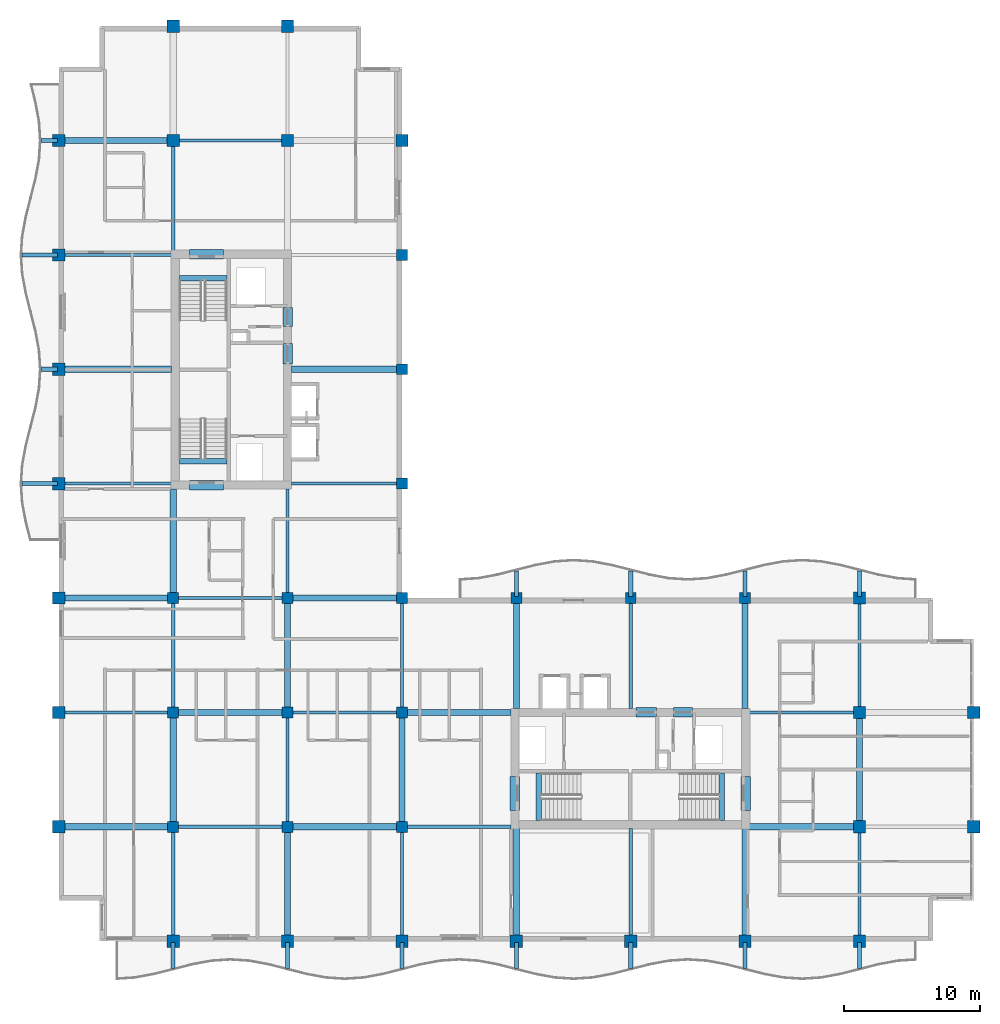
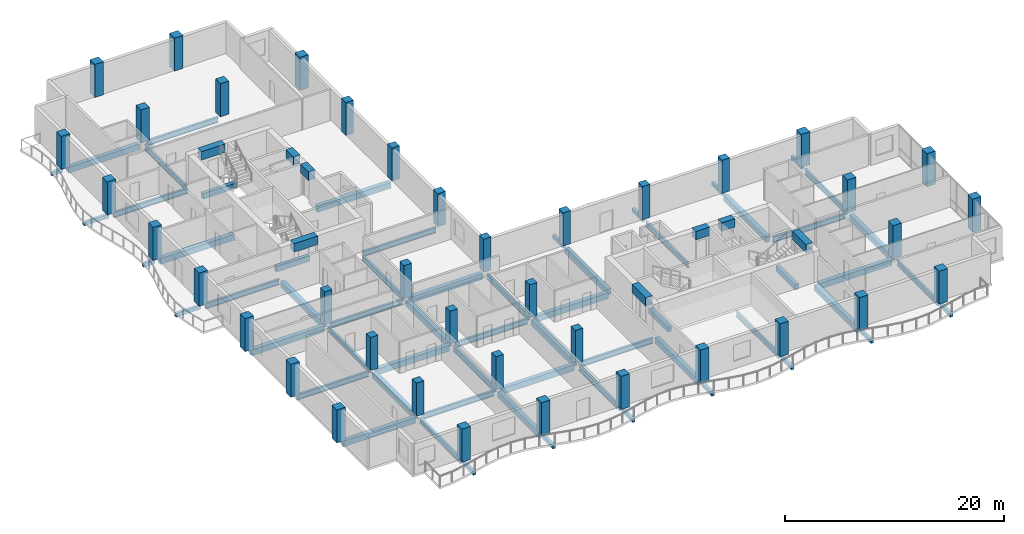
# One storey, part 1 of 16: 68 beams, 39 columns.
"""IFC4 building model written with IfcOpenShell, lengths in metres."""

from ifc_helpers import new_model, si_unit, direction, frame, origin, origin_2d, place, context, subcontext, project, spatial, rectangle, i_section, extrude, material, material_profile, profile_set, type_object, element, save


model = new_model("IFC4")

# Units and contexts
model_context = context("Model", 3, precision=1e-05, world=origin(), true_north=direction((0.0, 1.0)))
body_context = subcontext(model_context, "Body", "Model", "MODEL_VIEW")
ifc_project = project(units=[si_unit("LENGTHUNIT", "METRE"), si_unit("AREAUNIT", "SQUARE_METRE"), si_unit("VOLUMEUNIT", "CUBIC_METRE"), si_unit("PLANEANGLEUNIT", "RADIAN"), si_unit("MASSUNIT", "GRAM", prefix="KILO")], contexts=[model_context])

# Site, building, storey
site_placement = place(None, origin())
site = spatial("IfcSite", under=ifc_project, at=site_placement, CompositionType="ELEMENT")
building_placement = place(site_placement, origin())
building = spatial("IfcBuilding", under=site, at=building_placement, Name="Koriwani Terraces Tower", CompositionType="ELEMENT")
storey_placement = place(building_placement, frame((0.0, 0.0, 245.300048828125)))
storey = spatial("IfcBuildingStorey", under=building, at=storey_placement, Name="L60", CompositionType="ELEMENT", Elevation=245.300048828125)

# Columns
ifc_material_1 = material(Name="Concrete C50/60", Category="concrete")
ifc_material_profile_1 = material_profile(ifc_material_1, rectangle(XDim=0.800048828125, YDim=0.800048828125, at=origin_2d()), Name="Concrete C50/60", Category="LoadBearing")
ifc_profile_set_1 = profile_set([ifc_material_profile_1], Name="Concrete C50/60")
column_type_1 = type_object("IfcColumnType", Name="COL_RC_800X800", PredefinedType="COLUMN", material=ifc_profile_set_1)
for number, where, z_axis, x_axis, name in (
    (1, (16.800048828125, 16.800048828125, 0.0), (0.0, 0.0, 1.0), (1.0, 0.0, 0.0), "L60 Column 3/C"),
    (2, (16.800048828125, 25.199951171875, 0.0), (0.0, 0.0, 1.0), (1.0, 0.0, 0.0), "L60 Column 3/D"),
    (3, (16.800048828125, 33.60009765625, 0.0), (0.0, 0.0, 1.0), (1.0, 0.0, 0.0), "L60 Column 3/E"),
    (4, (25.199951171875, 16.800048828125, 0.0), (0.0, 0.0, 1.0), (1.0, 0.0, 0.0), "L60 Column 4/C"),
    (5, (25.199951171875, 25.199951171875, 0.0), (0.0, 0.0, 1.0), (1.0, 0.0, 0.0), "L60 Column 4/D"),
    (6, (25.199951171875, 33.60009765625, 0.0), (0.0, 0.0, 1.0), (1.0, 0.0, 0.0), "L60 Column 4/E"),
    (7, (33.60009765625, 16.800048828125, 0.0), (0.0, 0.0, 1.0), (1.0, 0.0, 0.0), "L60 Column 5/C"),
    (8, (33.60009765625, 25.199951171875, 0.0), (0.0, 0.0, 1.0), (1.0, 0.0, 0.0), "L60 Column 5/D"),
    (9, (33.60009765625, 33.60009765625, 0.0), (0.0, 0.0, 1.0), (1.0, 0.0, 0.0), "L60 Column 5/E"),
    (10, (33.60009765625, 42.0, 0.0), (0.0, 0.0, 1.0), (1.0, 0.0, 0.0), "L60 Column 5/F"),
    (11, (33.60009765625, 50.39990234375, 0.0), (0.0, 0.0, 1.0), (1.0, 0.0, 0.0), "L60 Column 5/G"),
    (12, (33.60009765625, 58.800048828125, 0.0), (0.0, 0.0, 1.0), (1.0, 0.0, 0.0), "L60 Column 5/H"),
    (13, (42.0, 33.60009765625, 0.0), (0.0, 0.0, 1.0), (1.0, 0.0, 0.0), "L60 Column 6/E"),
    (14, (50.39990234375, 33.60009765625, 0.0), (0.0, 0.0, 1.0), (1.0, 0.0, 0.0), "L60 Column 7/E"),
    (15, (58.800048828125, 33.60009765625, 0.0), (0.0, 0.0, 1.0), (1.0, 0.0, 0.0), "L60 Column 8/E"),
):
    element("IfcColumn", number, at=place(storey_placement, frame(where, z_axis=z_axis, x_axis=x_axis)), inside=storey, type_object=column_type_1, Name=name, PredefinedType="COLUMN", context=body_context, shape_type="SweptSolid", body=[
        extrude(rectangle(XDim=0.800048828125, YDim=0.800048828125, at=origin_2d()), origin(), (0.0, 0.0, 1.0), 3.699951171875),
    ])
ifc_material_profile_2 = material_profile(ifc_material_1, rectangle(XDim=0.89990234375, YDim=0.89990234375, at=origin_2d()), Name="Concrete C50/60", Category="LoadBearing")
ifc_profile_set_2 = profile_set([ifc_material_profile_2], Name="Concrete C50/60")
column_type_2 = type_object("IfcColumnType", Name="COL_RC_900X900", PredefinedType="COLUMN", material=ifc_profile_set_2)
for number, where, z_axis, x_axis, name in (
    (16, (8.39990234375, 16.800048828125, 0.0), (0.0, 0.0, 1.0), (1.0, 0.0, 0.0), "L60 Column 2/C"),
    (17, (8.39990234375, 25.199951171875, 0.0), (0.0, 0.0, 1.0), (1.0, 0.0, 0.0), "L60 Column 2/D"),
    (18, (8.39990234375, 33.60009765625, 0.0), (0.0, 0.0, 1.0), (1.0, 0.0, 0.0), "L60 Column 2/E"),
    (19, (8.39990234375, 42.0, 0.0), (0.0, 0.0, 1.0), (1.0, 0.0, 0.0), "L60 Column 2/F"),
    (20, (8.39990234375, 50.39990234375, 0.0), (0.0, 0.0, 1.0), (1.0, 0.0, 0.0), "L60 Column 2/G"),
    (21, (8.39990234375, 58.800048828125, 0.0), (0.0, 0.0, 1.0), (1.0, 0.0, 0.0), "L60 Column 2/H"),
    (22, (8.39990234375, 67.199951171875, 0.0), (0.0, 0.0, 1.0), (1.0, 0.0, 0.0), "L60 Column 2/I"),
    (23, (16.800048828125, 8.39990234375, 0.0), (0.0, 0.0, 1.0), (1.0, 0.0, 0.0), "L60 Column 3/B"),
    (24, (16.800048828125, 67.199951171875, 0.0), (0.0, 0.0, 1.0), (1.0, 0.0, 0.0), "L60 Column 3/I"),
    (25, (16.800048828125, 75.60009765625, 0.0), (0.0, 0.0, 1.0), (1.0, 0.0, 0.0), "L60 Column 3/J"),
    (26, (25.199951171875, 8.39990234375, 0.0), (0.0, 0.0, 1.0), (1.0, 0.0, 0.0), "L60 Column 4/B"),
    (27, (25.199951171875, 67.199951171875, 0.0), (0.0, 0.0, 1.0), (1.0, 0.0, 0.0), "L60 Column 4/I"),
    (28, (25.199951171875, 75.60009765625, 0.0), (0.0, 0.0, 1.0), (1.0, 0.0, 0.0), "L60 Column 4/J"),
    (29, (33.60009765625, 8.39990234375, 0.0), (0.0, 0.0, 1.0), (1.0, 0.0, 0.0), "L60 Column 5/B"),
    (30, (33.60009765625, 67.199951171875, 0.0), (0.0, 0.0, 1.0), (1.0, 0.0, 0.0), "L60 Column 5/I"),
    (31, (42.0, 8.39990234375, 0.0), (0.0, 0.0, 1.0), (1.0, 0.0, 0.0), "L60 Column 6/B"),
    (32, (50.39990234375, 8.39990234375, 0.0), (0.0, 0.0, 1.0), (1.0, 0.0, 0.0), "L60 Column 7/B"),
    (33, (58.800048828125, 8.39990234375, 0.0), (0.0, 0.0, 1.0), (1.0, 0.0, 0.0), "L60 Column 8/B"),
    (34, (67.199951171875, 8.39990234375, 0.0), (0.0, 0.0, 1.0), (1.0, 0.0, 0.0), "L60 Column 9/B"),
    (35, (67.199951171875, 16.800048828125, 0.0), (0.0, 0.0, 1.0), (1.0, 0.0, 0.0), "L60 Column 9/C"),
    (36, (67.199951171875, 25.199951171875, 0.0), (0.0, 0.0, 1.0), (1.0, 0.0, 0.0), "L60 Column 9/D"),
    (37, (67.199951171875, 33.60009765625, 0.0), (0.0, 0.0, 1.0), (1.0, 0.0, 0.0), "L60 Column 9/E"),
    (38, (75.60009765625, 16.800048828125, 0.0), (0.0, 0.0, 1.0), (1.0, 0.0, 0.0), "L60 Column 10/C"),
    (39, (75.60009765625, 25.199951171875, 0.0), (0.0, 0.0, 1.0), (1.0, 0.0, 0.0), "L60 Column 10/D"),
):
    element("IfcColumn", number, at=place(storey_placement, frame(where, z_axis=z_axis, x_axis=x_axis)), inside=storey, type_object=column_type_2, Name=name, PredefinedType="COLUMN", context=body_context, shape_type="SweptSolid", body=[
        extrude(rectangle(XDim=0.89990234375, YDim=0.89990234375, at=origin_2d()), origin(), (0.0, 0.0, 1.0), 3.699951171875),
    ])

# Beams
ifc_material_2 = material(Name="Concrete C40/50", Category="concrete")
ifc_material_profile_3 = material_profile(ifc_material_2, rectangle(XDim=0.300048828125, YDim=0.39990234375, at=origin_2d()), Name="Concrete C40/50", Category="LoadBearing")
ifc_profile_set_3 = profile_set([ifc_material_profile_3], Name="Concrete C40/50")
beam_type_1 = type_object("IfcBeamType", Name="BEAM_RC_BALCONY_RIB_300X400", PredefinedType="JOIST", material=ifc_profile_set_3)
for number, where, z_axis, x_axis, name in (
    (40, (16.800048828125, 6.409912109375, -0.429931640625), (0.0, 1.0, 0.0), (-1.0, 0.0, 0.0), "L60 Balcony Bracket Rib S-1"),
    (41, (25.199951171875, 6.409912109375, -0.429931640625), (0.0, 1.0, 0.0), (-1.0, 0.0, 0.0), "L60 Balcony Bracket Rib S-2"),
    (42, (33.60009765625, 6.409912109375, -0.429931640625), (0.0, 1.0, 0.0), (-1.0, 0.0, 0.0), "L60 Balcony Bracket Rib S-3"),
    (43, (42.0, 6.409912109375, -0.429931640625), (0.0, 1.0, 0.0), (-1.0, 0.0, 0.0), "L60 Balcony Bracket Rib S-4"),
    (44, (50.39990234375, 6.409912109375, -0.429931640625), (0.0, 1.0, 0.0), (-1.0, 0.0, 0.0), "L60 Balcony Bracket Rib S-5"),
    (45, (58.800048828125, 6.409912109375, -0.429931640625), (0.0, 1.0, 0.0), (-1.0, 0.0, 0.0), "L60 Balcony Bracket Rib S-6"),
    (46, (67.199951171875, 6.409912109375, -0.429931640625), (0.0, 1.0, 0.0), (-1.0, 0.0, 0.0), "L60 Balcony Bracket Rib S-7"),
):
    element("IfcBeam", number, at=place(storey_placement, frame(where, z_axis=z_axis, x_axis=x_axis)), inside=storey, type_object=beam_type_1, Name=name, PredefinedType="JOIST", context=body_context, shape_type="SweptSolid", body=[
        extrude(rectangle(XDim=0.300048828125, YDim=0.39990234375, at=origin_2d()), origin(), (0.0, 0.0, 1.0), 1.89013671875),
    ])
beam_1_placement = place(storey_placement, frame((5.699951171875, 42.0, -0.429931640625), z_axis=(1.0, 0.0, 0.0), x_axis=(0.0, 1.0, 0.0)))
element("IfcBeam", 47, at=beam_1_placement, inside=storey, type_object=beam_type_1, Name="L60 Balcony Bracket Rib W-1", PredefinedType="JOIST", context=body_context, shape_type="SweptSolid", body=[
    extrude(rectangle(XDim=0.300048828125, YDim=0.39990234375, at=origin_2d()), origin(), (0.0, 0.0, 1.0), 2.60009765625),
])
beam_2_placement = place(storey_placement, frame((7.1201171875, 50.39990234375, -0.429931640625), z_axis=(1.0, 0.0, 0.0), x_axis=(0.0, 1.0, 0.0)))
element("IfcBeam", 48, at=beam_2_placement, inside=storey, type_object=beam_type_1, Name="L60 Balcony Bracket Rib W-2", PredefinedType="JOIST", context=body_context, shape_type="SweptSolid", body=[
    extrude(rectangle(XDim=0.300048828125, YDim=0.39990234375, at=origin_2d()), origin(), (0.0, 0.0, 1.0), 1.179931640625),
])
beam_3_placement = place(storey_placement, frame((5.699951171875, 58.800048828125, -0.429931640625), z_axis=(1.0, 0.0, 0.0), x_axis=(0.0, 1.0, 0.0)))
element("IfcBeam", 49, at=beam_3_placement, inside=storey, type_object=beam_type_1, Name="L60 Balcony Bracket Rib W-3", PredefinedType="JOIST", context=body_context, shape_type="SweptSolid", body=[
    extrude(rectangle(XDim=0.300048828125, YDim=0.39990234375, at=origin_2d()), origin(), (0.0, 0.0, 1.0), 2.60009765625),
])
beam_4_placement = place(storey_placement, frame((7.1201171875, 67.199951171875, -0.429931640625), z_axis=(1.0, 0.0, 0.0), x_axis=(0.0, 1.0, 0.0)))
element("IfcBeam", 50, at=beam_4_placement, inside=storey, type_object=beam_type_1, Name="L60 Balcony Bracket Rib W-4", PredefinedType="JOIST", context=body_context, shape_type="SweptSolid", body=[
    extrude(rectangle(XDim=0.300048828125, YDim=0.39990234375, at=origin_2d()), origin(), (0.0, 0.0, 1.0), 1.179931640625),
])
for number, where, z_axis, x_axis, name in (
    (51, (42.0, 33.699951171875, -0.429931640625), (0.0, 1.0, 0.0), (-1.0, 0.0, 0.0), "L60 Balcony Bracket Rib NE-1"),
    (52, (50.39990234375, 33.699951171875, -0.429931640625), (0.0, 1.0, 0.0), (-1.0, 0.0, 0.0), "L60 Balcony Bracket Rib NE-2"),
    (53, (58.800048828125, 33.699951171875, -0.429931640625), (0.0, 1.0, 0.0), (-1.0, 0.0, 0.0), "L60 Balcony Bracket Rib NE-3"),
    (54, (67.199951171875, 33.699951171875, -0.429931640625), (0.0, 1.0, 0.0), (-1.0, 0.0, 0.0), "L60 Balcony Bracket Rib NE-4"),
):
    element("IfcBeam", number, at=place(storey_placement, frame(where, z_axis=z_axis, x_axis=x_axis)), inside=storey, type_object=beam_type_1, Name=name, PredefinedType="JOIST", context=body_context, shape_type="SweptSolid", body=[
        extrude(rectangle(XDim=0.300048828125, YDim=0.39990234375, at=origin_2d()), origin(), (0.0, 0.0, 1.0), 1.89013671875),
    ])
ifc_material_3 = material(Name="Concrete C60/75", Category="concrete")
ifc_material_profile_4 = material_profile(ifc_material_3, rectangle(XDim=0.699951171875, YDim=0.949951171875, at=origin_2d()), Name="Concrete C60/75", Category="LoadBearing")
ifc_profile_set_4 = profile_set([ifc_material_profile_4], Name="Concrete C60/75")
beam_type_2 = type_object("IfcBeamType", Name="BEAM_RC_COUPLING_700X950", PredefinedType="LINTEL", material=ifc_profile_set_4)
beam_5_placement = place(storey_placement, frame((25.199951171875, 50.800048828125, 2.994873046875), z_axis=(0.0, 1.0, 0.0), x_axis=(-1.0, 0.0, 0.0)))
element("IfcBeam", 55, at=beam_5_placement, inside=storey, type_object=beam_type_2, Name="L60 Core Coupling Lintel Beam WE1", PredefinedType="LINTEL", context=body_context, shape_type="SweptSolid", body=[
    extrude(rectangle(XDim=0.699951171875, YDim=0.949951171875, at=origin_2d()), origin(), (0.0, 0.0, 1.0), 1.47998046875),
])
beam_6_placement = place(storey_placement, frame((25.199951171875, 53.550048828125, 2.994873046875), z_axis=(0.0, 1.0, 0.0), x_axis=(-1.0, 0.0, 0.0)))
element("IfcBeam", 56, at=beam_6_placement, inside=storey, type_object=beam_type_2, Name="L60 Core Coupling Lintel Beam WE2", PredefinedType="LINTEL", context=body_context, shape_type="SweptSolid", body=[
    extrude(rectangle(XDim=0.699951171875, YDim=0.949951171875, at=origin_2d()), origin(), (0.0, 0.0, 1.0), 1.39990234375),
])
for number, where, z_axis, x_axis, name in (
    (57, (18.0, 41.89990234375, 2.994873046875), (1.0, 0.0, 0.0), (0.0, 1.0, 0.0), "L60 Core Coupling Lintel Beam WS"),
    (58, (18.0, 58.85009765625, 2.994873046875), (1.0, 0.0, 0.0), (0.0, 1.0, 0.0), "L60 Core Coupling Lintel Beam WN"),
):
    element("IfcBeam", number, at=place(storey_placement, frame(where, z_axis=z_axis, x_axis=x_axis)), inside=storey, type_object=beam_type_2, Name=name, PredefinedType="LINTEL", context=body_context, shape_type="SweptSolid", body=[
        extrude(rectangle(XDim=0.699951171875, YDim=0.949951171875, at=origin_2d()), origin(), (0.0, 0.0, 1.0), 2.5),
    ])
beam_7_placement = place(storey_placement, frame((50.800048828125, 25.199951171875, 2.994873046875), z_axis=(1.0, 0.0, 0.0), x_axis=(0.0, 1.0, 0.0)))
element("IfcBeam", 59, at=beam_7_placement, inside=storey, type_object=beam_type_2, Name="L60 Core Coupling Lintel Beam EN1", PredefinedType="LINTEL", context=body_context, shape_type="SweptSolid", body=[
    extrude(rectangle(XDim=0.699951171875, YDim=0.949951171875, at=origin_2d()), origin(), (0.0, 0.0, 1.0), 1.47998046875),
])
beam_8_placement = place(storey_placement, frame((53.550048828125, 25.199951171875, 2.994873046875), z_axis=(1.0, 0.0, 0.0), x_axis=(0.0, 1.0, 0.0)))
element("IfcBeam", 60, at=beam_8_placement, inside=storey, type_object=beam_type_2, Name="L60 Core Coupling Lintel Beam EN2", PredefinedType="LINTEL", context=body_context, shape_type="SweptSolid", body=[
    extrude(rectangle(XDim=0.699951171875, YDim=0.949951171875, at=origin_2d()), origin(), (0.0, 0.0, 1.0), 1.39990234375),
])
for number, where, z_axis, x_axis, name in (
    (61, (41.89990234375, 18.0, 2.994873046875), (0.0, 1.0, 0.0), (-1.0, 0.0, 0.0), "L60 Core Coupling Lintel Beam EW"),
    (62, (58.85009765625, 18.0, 2.994873046875), (0.0, 1.0, 0.0), (-1.0, 0.0, 0.0), "L60 Core Coupling Lintel Beam EE"),
):
    element("IfcBeam", number, at=place(storey_placement, frame(where, z_axis=z_axis, x_axis=x_axis)), inside=storey, type_object=beam_type_2, Name=name, PredefinedType="LINTEL", context=body_context, shape_type="SweptSolid", body=[
        extrude(rectangle(XDim=0.699951171875, YDim=0.949951171875, at=origin_2d()), origin(), (0.0, 0.0, 1.0), 2.5),
    ])
ifc_material_profile_5 = material_profile(ifc_material_2, rectangle(XDim=0.39990234375, YDim=0.60009765625, at=origin_2d()), Name="Concrete C40/50", Category="LoadBearing")
ifc_profile_set_5 = profile_set([ifc_material_profile_5], Name="Concrete C40/50")
beam_type_3 = type_object("IfcBeamType", Name="BEAM_RC_GRID_400X600", PredefinedType="BEAM", material=ifc_profile_set_5)
for number, where, z_axis, x_axis, name in (
    (63, (17.25, 43.655029296875, -0.300048828125), (1.0, 0.0, 0.0), (0.0, 1.0, 0.0), "L60 Stairwell Header Trimmer Beam ST-W1"),
    (64, (17.25, 57.094970703125, -0.300048828125), (1.0, 0.0, 0.0), (0.0, 1.0, 0.0), "L60 Stairwell Header Trimmer Beam ST-W2"),
    (65, (43.655029296875, 17.25, -0.300048828125), (0.0, 1.0, 0.0), (-1.0, 0.0, 0.0), "L60 Stairwell Header Trimmer Beam ST-E1"),
    (66, (57.094970703125, 17.25, -0.300048828125), (0.0, 1.0, 0.0), (-1.0, 0.0, 0.0), "L60 Stairwell Header Trimmer Beam ST-E2"),
):
    element("IfcBeam", number, at=place(storey_placement, frame(where, z_axis=z_axis, x_axis=x_axis)), inside=storey, type_object=beam_type_3, Name=name, PredefinedType="BEAM", context=body_context, shape_type="SweptSolid", body=[
        extrude(rectangle(XDim=0.39990234375, YDim=0.60009765625, at=origin_2d()), origin(), (0.0, 0.0, 1.0), 3.5),
    ])
ifc_material_profile_6 = material_profile(ifc_material_1, rectangle(XDim=0.449951171875, YDim=0.64990234375, at=origin_2d()), Name="Concrete C50/60", Category="LoadBearing")
ifc_profile_set_6 = profile_set([ifc_material_profile_6], Name="Concrete C50/60")
beam_type_4 = type_object("IfcBeamType", Name="BEAM_RC_GRID_450X650", PredefinedType="BEAM", material=ifc_profile_set_6)
beam_9_placement = place(storey_placement, frame((8.830078125, 16.800048828125, -0.554931640625), z_axis=(1.0, 0.0, 0.0), x_axis=(0.0, 1.0, 0.0)))
element("IfcBeam", 67, at=beam_9_placement, inside=storey, type_object=beam_type_4, Name="L60 Grid Beam C (8.4-16.8m)", PredefinedType="BEAM", context=body_context, shape_type="SweptSolid", body=[
    extrude(rectangle(XDim=0.449951171875, YDim=0.64990234375, at=origin_2d()), origin(), (0.0, 0.0, 1.0), 7.58984375),
])
beam_10_placement = place(storey_placement, frame((25.580078125, 16.800048828125, -0.554931640625), z_axis=(1.0, 0.0, 0.0), x_axis=(0.0, 1.0, 0.0)))
element("IfcBeam", 68, at=beam_10_placement, inside=storey, type_object=beam_type_4, Name="L60 Grid Beam C (25.2-33.6m)", PredefinedType="BEAM", context=body_context, shape_type="SweptSolid", body=[
    extrude(rectangle(XDim=0.449951171875, YDim=0.64990234375, at=origin_2d()), origin(), (0.0, 0.0, 1.0), 7.639892578125),
])
for number, where, z_axis, x_axis, name in (
    (69, (59.1298828125, 16.800048828125, -0.554931640625), (1.0, 0.0, 0.0), (0.0, 1.0, 0.0), "L60 Grid Beam C (58.8-67.2m)"),
    (70, (17.179931640625, 25.199951171875, -0.554931640625), (1.0, 0.0, 0.0), (0.0, 1.0, 0.0), "L60 Grid Beam D (16.8-25.2m)"),
    (71, (33.97998046875, 25.199951171875, -0.554931640625), (1.0, 0.0, 0.0), (0.0, 1.0, 0.0), "L60 Grid Beam D (33.6-42.0m)"),
):
    element("IfcBeam", number, at=place(storey_placement, frame(where, z_axis=z_axis, x_axis=x_axis)), inside=storey, type_object=beam_type_4, Name=name, PredefinedType="BEAM", context=body_context, shape_type="SweptSolid", body=[
        extrude(rectangle(XDim=0.449951171875, YDim=0.64990234375, at=origin_2d()), origin(), (0.0, 0.0, 1.0), 7.64013671875),
    ])
beam_11_placement = place(storey_placement, frame((8.830078125, 33.60009765625, -0.554931640625), z_axis=(1.0, 0.0, 0.0), x_axis=(0.0, 1.0, 0.0)))
element("IfcBeam", 72, at=beam_11_placement, inside=storey, type_object=beam_type_4, Name="L60 Grid Beam E (8.4-16.8m)", PredefinedType="BEAM", context=body_context, shape_type="SweptSolid", body=[
    extrude(rectangle(XDim=0.449951171875, YDim=0.64990234375, at=origin_2d()), origin(), (0.0, 0.0, 1.0), 7.58984375),
])
beam_12_placement = place(storey_placement, frame((25.580078125, 33.60009765625, -0.554931640625), z_axis=(1.0, 0.0, 0.0), x_axis=(0.0, 1.0, 0.0)))
element("IfcBeam", 73, at=beam_12_placement, inside=storey, type_object=beam_type_4, Name="L60 Grid Beam E (25.2-33.6m)", PredefinedType="BEAM", context=body_context, shape_type="SweptSolid", body=[
    extrude(rectangle(XDim=0.449951171875, YDim=0.64990234375, at=origin_2d()), origin(), (0.0, 0.0, 1.0), 7.639892578125),
])
beam_13_placement = place(storey_placement, frame((8.830078125, 50.39990234375, -0.554931640625), z_axis=(1.0, 0.0, 0.0), x_axis=(0.0, 1.0, 0.0)))
element("IfcBeam", 74, at=beam_13_placement, inside=storey, type_object=beam_type_4, Name="L60 Grid Beam G (8.4-16.8m)", PredefinedType="BEAM", context=body_context, shape_type="SweptSolid", body=[
    extrude(rectangle(XDim=0.449951171875, YDim=0.64990234375, at=origin_2d()), origin(), (0.0, 0.0, 1.0), 7.83984375),
])
beam_14_placement = place(storey_placement, frame((25.47998046875, 50.39990234375, -0.554931640625), z_axis=(1.0, 0.0, 0.0), x_axis=(0.0, 1.0, 0.0)))
element("IfcBeam", 75, at=beam_14_placement, inside=storey, type_object=beam_type_4, Name="L60 Grid Beam G (25.2-33.6m)", PredefinedType="BEAM", context=body_context, shape_type="SweptSolid", body=[
    extrude(rectangle(XDim=0.449951171875, YDim=0.64990234375, at=origin_2d()), origin(), (0.0, 0.0, 1.0), 7.739990234375),
])
beam_15_placement = place(storey_placement, frame((8.830078125, 67.199951171875, -0.554931640625), z_axis=(1.0, 0.0, 0.0), x_axis=(0.0, 1.0, 0.0)))
element("IfcBeam", 76, at=beam_15_placement, inside=storey, type_object=beam_type_4, Name="L60 Grid Beam I (8.4-16.8m)", PredefinedType="BEAM", context=body_context, shape_type="SweptSolid", body=[
    extrude(rectangle(XDim=0.449951171875, YDim=0.64990234375, at=origin_2d()), origin(), (0.0, 0.0, 1.0), 7.5400390625),
])
for number, where, z_axis, x_axis, name in (
    (77, (16.800048828125, 17.179931640625, -0.554931640625), (0.0, 1.0, 0.0), (-1.0, 0.0, 0.0), "L60 Grid Beam 3 (16.8-25.2m)"),
    (78, (16.800048828125, 33.97998046875, -0.554931640625), (0.0, 1.0, 0.0), (-1.0, 0.0, 0.0), "L60 Grid Beam 3 (33.6-42.0m)"),
):
    element("IfcBeam", number, at=place(storey_placement, frame(where, z_axis=z_axis, x_axis=x_axis)), inside=storey, type_object=beam_type_4, Name=name, PredefinedType="BEAM", context=body_context, shape_type="SweptSolid", body=[
        extrude(rectangle(XDim=0.449951171875, YDim=0.64990234375, at=origin_2d()), origin(), (0.0, 0.0, 1.0), 7.64013671875),
    ])
beam_16_placement = place(storey_placement, frame((25.199951171875, 8.830078125, -0.554931640625), z_axis=(0.0, 1.0, 0.0), x_axis=(-1.0, 0.0, 0.0)))
element("IfcBeam", 79, at=beam_16_placement, inside=storey, type_object=beam_type_4, Name="L60 Grid Beam 4 (8.4-16.8m)", PredefinedType="BEAM", context=body_context, shape_type="SweptSolid", body=[
    extrude(rectangle(XDim=0.449951171875, YDim=0.64990234375, at=origin_2d()), origin(), (0.0, 0.0, 1.0), 7.58984375),
])
beam_17_placement = place(storey_placement, frame((25.199951171875, 25.580078125, -0.554931640625), z_axis=(0.0, 1.0, 0.0), x_axis=(-1.0, 0.0, 0.0)))
element("IfcBeam", 80, at=beam_17_placement, inside=storey, type_object=beam_type_4, Name="L60 Grid Beam 4 (25.2-33.6m)", PredefinedType="BEAM", context=body_context, shape_type="SweptSolid", body=[
    extrude(rectangle(XDim=0.449951171875, YDim=0.64990234375, at=origin_2d()), origin(), (0.0, 0.0, 1.0), 7.639892578125),
])
beam_18_placement = place(storey_placement, frame((33.60009765625, 17.179931640625, -0.554931640625), z_axis=(0.0, 1.0, 0.0), x_axis=(-1.0, 0.0, 0.0)))
element("IfcBeam", 81, at=beam_18_placement, inside=storey, type_object=beam_type_4, Name="L60 Grid Beam 5 (16.8-25.2m)", PredefinedType="BEAM", context=body_context, shape_type="SweptSolid", body=[
    extrude(rectangle(XDim=0.449951171875, YDim=0.64990234375, at=origin_2d()), origin(), (0.0, 0.0, 1.0), 7.64013671875),
])
beam_19_placement = place(storey_placement, frame((42.0, 8.830078125, -0.554931640625), z_axis=(0.0, 1.0, 0.0), x_axis=(-1.0, 0.0, 0.0)))
element("IfcBeam", 82, at=beam_19_placement, inside=storey, type_object=beam_type_4, Name="L60 Grid Beam 6 (8.4-16.8m)", PredefinedType="BEAM", context=body_context, shape_type="SweptSolid", body=[
    extrude(rectangle(XDim=0.449951171875, YDim=0.64990234375, at=origin_2d()), origin(), (0.0, 0.0, 1.0), 7.83984375),
])
beam_20_placement = place(storey_placement, frame((42.0, 25.47998046875, -0.554931640625), z_axis=(0.0, 1.0, 0.0), x_axis=(-1.0, 0.0, 0.0)))
element("IfcBeam", 83, at=beam_20_placement, inside=storey, type_object=beam_type_4, Name="L60 Grid Beam 6 (25.2-33.6m)", PredefinedType="BEAM", context=body_context, shape_type="SweptSolid", body=[
    extrude(rectangle(XDim=0.449951171875, YDim=0.64990234375, at=origin_2d()), origin(), (0.0, 0.0, 1.0), 7.739990234375),
])
beam_21_placement = place(storey_placement, frame((58.800048828125, 8.830078125, -0.554931640625), z_axis=(0.0, 1.0, 0.0), x_axis=(-1.0, 0.0, 0.0)))
element("IfcBeam", 84, at=beam_21_placement, inside=storey, type_object=beam_type_4, Name="L60 Grid Beam 8 (8.4-16.8m)", PredefinedType="BEAM", context=body_context, shape_type="SweptSolid", body=[
    extrude(rectangle(XDim=0.449951171875, YDim=0.64990234375, at=origin_2d()), origin(), (0.0, 0.0, 1.0), 7.83984375),
])
beam_22_placement = place(storey_placement, frame((58.800048828125, 25.47998046875, -0.554931640625), z_axis=(0.0, 1.0, 0.0), x_axis=(-1.0, 0.0, 0.0)))
element("IfcBeam", 85, at=beam_22_placement, inside=storey, type_object=beam_type_4, Name="L60 Grid Beam 8 (25.2-33.6m)", PredefinedType="BEAM", context=body_context, shape_type="SweptSolid", body=[
    extrude(rectangle(XDim=0.449951171875, YDim=0.64990234375, at=origin_2d()), origin(), (0.0, 0.0, 1.0), 7.739990234375),
])
beam_23_placement = place(storey_placement, frame((67.199951171875, 17.22998046875, -0.554931640625), z_axis=(0.0, 1.0, 0.0), x_axis=(-1.0, 0.0, 0.0)))
element("IfcBeam", 86, at=beam_23_placement, inside=storey, type_object=beam_type_4, Name="L60 Grid Beam 9 (16.8-25.2m)", PredefinedType="BEAM", context=body_context, shape_type="SweptSolid", body=[
    extrude(rectangle(XDim=0.449951171875, YDim=0.64990234375, at=origin_2d()), origin(), (0.0, 0.0, 1.0), 7.5400390625),
])
ifc_material_4 = material(Name="Steel ASTM A572 Grade 50", Category="steel")
ifc_material_profile_7 = material_profile(ifc_material_4, i_section(OverallWidth=0.23095703125, OverallDepth=0.616943359375, WebThickness=0.015380859375, FlangeThickness=0.0244140625, at=origin_2d()), Name="Steel ASTM A572 Grade 50", Category="LoadBearing")
ifc_profile_set_7 = profile_set([ifc_material_profile_7], Name="Steel ASTM A572 Grade 50")
beam_type_5 = type_object("IfcBeamType", Name="STEEL_BEAM_W610X195", PredefinedType="BEAM", material=ifc_profile_set_7)
for number, where, z_axis, x_axis, name in (
    (87, (17.179931640625, 16.800048828125, -0.53857421875), (1.0, 0.0, 0.0), (0.0, 1.0, 0.0), "L60 Grid Beam C (16.8-25.2m)"),
    (88, (33.97998046875, 16.800048828125, -0.53857421875), (1.0, 0.0, 0.0), (0.0, 1.0, 0.0), "L60 Grid Beam C (33.6-42.0m)"),
):
    element("IfcBeam", number, at=place(storey_placement, frame(where, z_axis=z_axis, x_axis=x_axis)), inside=storey, type_object=beam_type_5, Name=name, PredefinedType="BEAM", context=body_context, shape_type="SweptSolid", body=[
        extrude(i_section(OverallWidth=0.23095703125, OverallDepth=0.616943359375, WebThickness=0.015380859375, FlangeThickness=0.0244140625, at=origin_2d()), origin(), (0.0, 0.0, 1.0), 7.64013671875),
    ])
beam_24_placement = place(storey_placement, frame((8.830078125, 25.199951171875, -0.53857421875), z_axis=(1.0, 0.0, 0.0), x_axis=(0.0, 1.0, 0.0)))
element("IfcBeam", 89, at=beam_24_placement, inside=storey, type_object=beam_type_5, Name="L60 Grid Beam D (8.4-16.8m)", PredefinedType="BEAM", context=body_context, shape_type="SweptSolid", body=[
    extrude(i_section(OverallWidth=0.23095703125, OverallDepth=0.616943359375, WebThickness=0.015380859375, FlangeThickness=0.0244140625, at=origin_2d()), origin(), (0.0, 0.0, 1.0), 7.58984375),
])
beam_25_placement = place(storey_placement, frame((25.580078125, 25.199951171875, -0.53857421875), z_axis=(1.0, 0.0, 0.0), x_axis=(0.0, 1.0, 0.0)))
element("IfcBeam", 90, at=beam_25_placement, inside=storey, type_object=beam_type_5, Name="L60 Grid Beam D (25.2-33.6m)", PredefinedType="BEAM", context=body_context, shape_type="SweptSolid", body=[
    extrude(i_section(OverallWidth=0.23095703125, OverallDepth=0.616943359375, WebThickness=0.015380859375, FlangeThickness=0.0244140625, at=origin_2d()), origin(), (0.0, 0.0, 1.0), 7.639892578125),
])
for number, where, z_axis, x_axis, name in (
    (91, (59.1298828125, 25.199951171875, -0.53857421875), (1.0, 0.0, 0.0), (0.0, 1.0, 0.0), "L60 Grid Beam D (58.8-67.2m)"),
    (92, (17.179931640625, 33.60009765625, -0.53857421875), (1.0, 0.0, 0.0), (0.0, 1.0, 0.0), "L60 Grid Beam E (16.8-25.2m)"),
):
    element("IfcBeam", number, at=place(storey_placement, frame(where, z_axis=z_axis, x_axis=x_axis)), inside=storey, type_object=beam_type_5, Name=name, PredefinedType="BEAM", context=body_context, shape_type="SweptSolid", body=[
        extrude(i_section(OverallWidth=0.23095703125, OverallDepth=0.616943359375, WebThickness=0.015380859375, FlangeThickness=0.0244140625, at=origin_2d()), origin(), (0.0, 0.0, 1.0), 7.64013671875),
    ])
beam_26_placement = place(storey_placement, frame((8.830078125, 42.0, -0.53857421875), z_axis=(1.0, 0.0, 0.0), x_axis=(0.0, 1.0, 0.0)))
element("IfcBeam", 93, at=beam_26_placement, inside=storey, type_object=beam_type_5, Name="L60 Grid Beam F (8.4-16.8m)", PredefinedType="BEAM", context=body_context, shape_type="SweptSolid", body=[
    extrude(i_section(OverallWidth=0.23095703125, OverallDepth=0.616943359375, WebThickness=0.015380859375, FlangeThickness=0.0244140625, at=origin_2d()), origin(), (0.0, 0.0, 1.0), 7.83984375),
])
beam_27_placement = place(storey_placement, frame((25.47998046875, 42.0, -0.53857421875), z_axis=(1.0, 0.0, 0.0), x_axis=(0.0, 1.0, 0.0)))
element("IfcBeam", 94, at=beam_27_placement, inside=storey, type_object=beam_type_5, Name="L60 Grid Beam F (25.2-33.6m)", PredefinedType="BEAM", context=body_context, shape_type="SweptSolid", body=[
    extrude(i_section(OverallWidth=0.23095703125, OverallDepth=0.616943359375, WebThickness=0.015380859375, FlangeThickness=0.0244140625, at=origin_2d()), origin(), (0.0, 0.0, 1.0), 7.739990234375),
])
beam_28_placement = place(storey_placement, frame((8.830078125, 58.800048828125, -0.53857421875), z_axis=(1.0, 0.0, 0.0), x_axis=(0.0, 1.0, 0.0)))
element("IfcBeam", 95, at=beam_28_placement, inside=storey, type_object=beam_type_5, Name="L60 Grid Beam H (8.4-16.8m)", PredefinedType="BEAM", context=body_context, shape_type="SweptSolid", body=[
    extrude(i_section(OverallWidth=0.23095703125, OverallDepth=0.616943359375, WebThickness=0.015380859375, FlangeThickness=0.0244140625, at=origin_2d()), origin(), (0.0, 0.0, 1.0), 7.83984375),
])
beam_29_placement = place(storey_placement, frame((17.22998046875, 67.199951171875, -0.53857421875), z_axis=(1.0, 0.0, 0.0), x_axis=(0.0, 1.0, 0.0)))
element("IfcBeam", 96, at=beam_29_placement, inside=storey, type_object=beam_type_5, Name="L60 Grid Beam I (16.8-25.2m)", PredefinedType="BEAM", context=body_context, shape_type="SweptSolid", body=[
    extrude(i_section(OverallWidth=0.23095703125, OverallDepth=0.616943359375, WebThickness=0.015380859375, FlangeThickness=0.0244140625, at=origin_2d()), origin(), (0.0, 0.0, 1.0), 7.5400390625),
])
beam_30_placement = place(storey_placement, frame((16.800048828125, 8.830078125, -0.53857421875), z_axis=(0.0, 1.0, 0.0), x_axis=(-1.0, 0.0, 0.0)))
element("IfcBeam", 97, at=beam_30_placement, inside=storey, type_object=beam_type_5, Name="L60 Grid Beam 3 (8.4-16.8m)", PredefinedType="BEAM", context=body_context, shape_type="SweptSolid", body=[
    extrude(i_section(OverallWidth=0.23095703125, OverallDepth=0.616943359375, WebThickness=0.015380859375, FlangeThickness=0.0244140625, at=origin_2d()), origin(), (0.0, 0.0, 1.0), 7.58984375),
])
beam_31_placement = place(storey_placement, frame((16.800048828125, 25.580078125, -0.53857421875), z_axis=(0.0, 1.0, 0.0), x_axis=(-1.0, 0.0, 0.0)))
element("IfcBeam", 98, at=beam_31_placement, inside=storey, type_object=beam_type_5, Name="L60 Grid Beam 3 (25.2-33.6m)", PredefinedType="BEAM", context=body_context, shape_type="SweptSolid", body=[
    extrude(i_section(OverallWidth=0.23095703125, OverallDepth=0.616943359375, WebThickness=0.015380859375, FlangeThickness=0.0244140625, at=origin_2d()), origin(), (0.0, 0.0, 1.0), 7.639892578125),
])
for number, where, z_axis, x_axis, name in (
    (99, (16.800048828125, 59.1298828125, -0.53857421875), (0.0, 1.0, 0.0), (-1.0, 0.0, 0.0), "L60 Grid Beam 3 (58.8-67.2m)"),
    (100, (25.199951171875, 17.179931640625, -0.53857421875), (0.0, 1.0, 0.0), (-1.0, 0.0, 0.0), "L60 Grid Beam 4 (16.8-25.2m)"),
    (101, (25.199951171875, 33.97998046875, -0.53857421875), (0.0, 1.0, 0.0), (-1.0, 0.0, 0.0), "L60 Grid Beam 4 (33.6-42.0m)"),
):
    element("IfcBeam", number, at=place(storey_placement, frame(where, z_axis=z_axis, x_axis=x_axis)), inside=storey, type_object=beam_type_5, Name=name, PredefinedType="BEAM", context=body_context, shape_type="SweptSolid", body=[
        extrude(i_section(OverallWidth=0.23095703125, OverallDepth=0.616943359375, WebThickness=0.015380859375, FlangeThickness=0.0244140625, at=origin_2d()), origin(), (0.0, 0.0, 1.0), 7.64013671875),
    ])
beam_32_placement = place(storey_placement, frame((33.60009765625, 8.830078125, -0.53857421875), z_axis=(0.0, 1.0, 0.0), x_axis=(-1.0, 0.0, 0.0)))
element("IfcBeam", 102, at=beam_32_placement, inside=storey, type_object=beam_type_5, Name="L60 Grid Beam 5 (8.4-16.8m)", PredefinedType="BEAM", context=body_context, shape_type="SweptSolid", body=[
    extrude(i_section(OverallWidth=0.23095703125, OverallDepth=0.616943359375, WebThickness=0.015380859375, FlangeThickness=0.0244140625, at=origin_2d()), origin(), (0.0, 0.0, 1.0), 7.58984375),
])
beam_33_placement = place(storey_placement, frame((33.60009765625, 25.580078125, -0.53857421875), z_axis=(0.0, 1.0, 0.0), x_axis=(-1.0, 0.0, 0.0)))
element("IfcBeam", 103, at=beam_33_placement, inside=storey, type_object=beam_type_5, Name="L60 Grid Beam 5 (25.2-33.6m)", PredefinedType="BEAM", context=body_context, shape_type="SweptSolid", body=[
    extrude(i_section(OverallWidth=0.23095703125, OverallDepth=0.616943359375, WebThickness=0.015380859375, FlangeThickness=0.0244140625, at=origin_2d()), origin(), (0.0, 0.0, 1.0), 7.639892578125),
])
beam_34_placement = place(storey_placement, frame((50.39990234375, 8.830078125, -0.53857421875), z_axis=(0.0, 1.0, 0.0), x_axis=(-1.0, 0.0, 0.0)))
element("IfcBeam", 104, at=beam_34_placement, inside=storey, type_object=beam_type_5, Name="L60 Grid Beam 7 (8.4-16.8m)", PredefinedType="BEAM", context=body_context, shape_type="SweptSolid", body=[
    extrude(i_section(OverallWidth=0.23095703125, OverallDepth=0.616943359375, WebThickness=0.015380859375, FlangeThickness=0.0244140625, at=origin_2d()), origin(), (0.0, 0.0, 1.0), 7.83984375),
])
beam_35_placement = place(storey_placement, frame((50.39990234375, 25.47998046875, -0.53857421875), z_axis=(0.0, 1.0, 0.0), x_axis=(-1.0, 0.0, 0.0)))
element("IfcBeam", 105, at=beam_35_placement, inside=storey, type_object=beam_type_5, Name="L60 Grid Beam 7 (25.2-33.6m)", PredefinedType="BEAM", context=body_context, shape_type="SweptSolid", body=[
    extrude(i_section(OverallWidth=0.23095703125, OverallDepth=0.616943359375, WebThickness=0.015380859375, FlangeThickness=0.0244140625, at=origin_2d()), origin(), (0.0, 0.0, 1.0), 7.739990234375),
])
for number, where, z_axis, x_axis, name in (
    (106, (67.199951171875, 8.830078125, -0.53857421875), (0.0, 1.0, 0.0), (-1.0, 0.0, 0.0), "L60 Grid Beam 9 (8.4-16.8m)"),
    (107, (67.199951171875, 25.6298828125, -0.53857421875), (0.0, 1.0, 0.0), (-1.0, 0.0, 0.0), "L60 Grid Beam 9 (25.2-33.6m)"),
):
    element("IfcBeam", number, at=place(storey_placement, frame(where, z_axis=z_axis, x_axis=x_axis)), inside=storey, type_object=beam_type_5, Name=name, PredefinedType="BEAM", context=body_context, shape_type="SweptSolid", body=[
        extrude(i_section(OverallWidth=0.23095703125, OverallDepth=0.616943359375, WebThickness=0.015380859375, FlangeThickness=0.0244140625, at=origin_2d()), origin(), (0.0, 0.0, 1.0), 7.5400390625),
    ])

save(model, "model.ifc")
